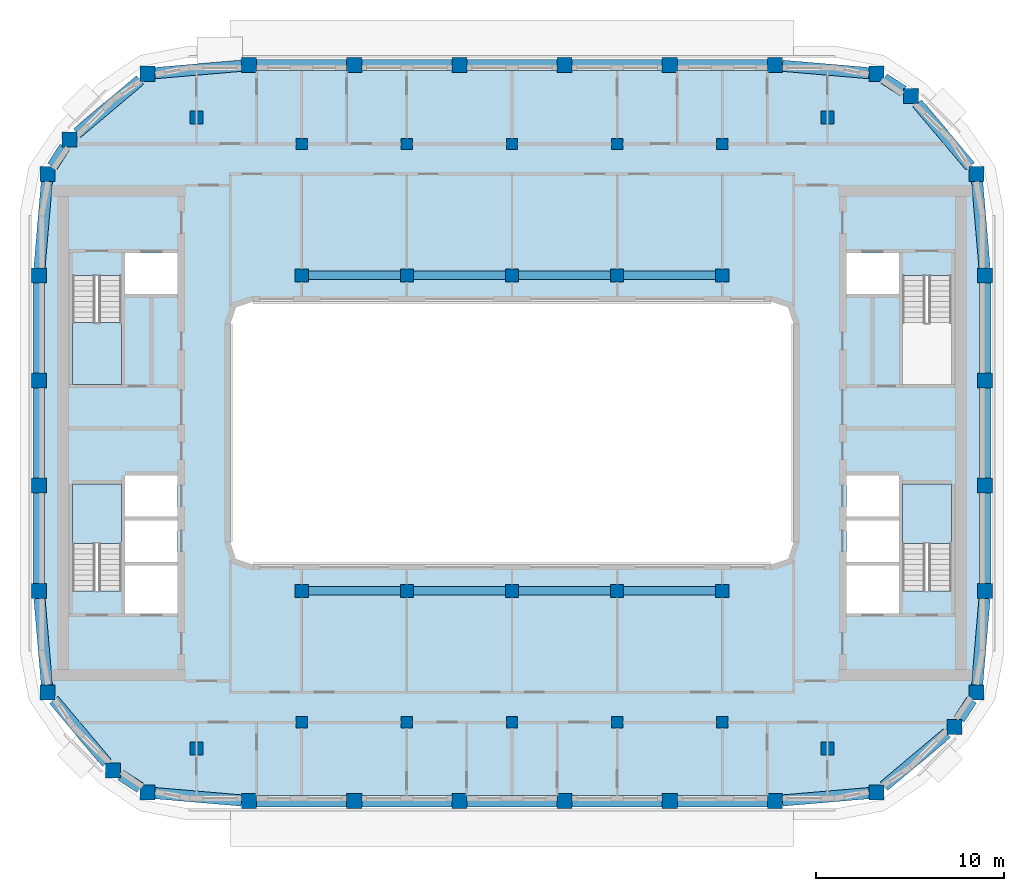
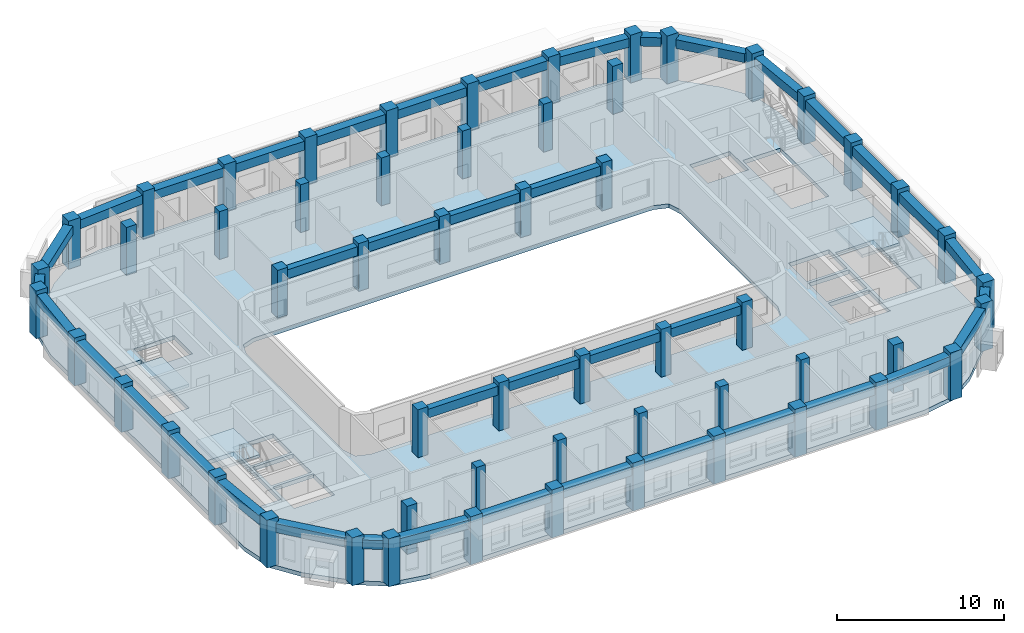
# One storey, part 1 of 15: 56 columns, 40 beams, 4 slabs, 3 elements without a shape of their own.
"""IFC4 building model written with IfcOpenShell, lengths in metres."""

from ifc_helpers import new_model, si_unit, direction, frame, origin, origin_2d, place, context, subcontext, project, spatial, polyline, rectangle, outline, extrude, material, layer, layer_set, material_profile, profile_set, type_object, element, aggregate, save


model = new_model("IFC4")

# Units and contexts
model_context = context("Model", 3, precision=1e-05, world=origin(), true_north=direction((0.0, 1.0)))
body_context = subcontext(model_context, "Body", "Model", "MODEL_VIEW")
ifc_project = project(units=[si_unit("LENGTHUNIT", "METRE"), si_unit("AREAUNIT", "SQUARE_METRE"), si_unit("VOLUMEUNIT", "CUBIC_METRE"), si_unit("PLANEANGLEUNIT", "RADIAN"), si_unit("MASSUNIT", "GRAM", prefix="KILO")], contexts=[model_context])

# Site, building, storey
site_placement = place(None, origin())
site = spatial("IfcSite", under=ifc_project, at=site_placement, CompositionType="ELEMENT")
building_placement = place(site_placement, origin())
building = spatial("IfcBuilding", under=site, at=building_placement, Name="Kiln Ring Residences", CompositionType="ELEMENT")
storey_placement = place(building_placement, frame((0.0, 0.0, 252.199951171875)))
storey = spatial("IfcBuildingStorey", under=building, at=storey_placement, Name="L65", CompositionType="ELEMENT", Elevation=252.199951171875)

# Columns
ifc_material_1 = material(Name="Concrete C60/75", Category="concrete")
ifc_material_profile_1 = material_profile(ifc_material_1, rectangle(XDim=0.60009765625, YDim=0.60009765625, at=origin_2d()), Name="RC600x600")
ifc_profile_set_1 = profile_set([ifc_material_profile_1], Name="Concrete C60/75")
column_type_1 = type_object("IfcColumnType", Name="Corridor column RC600x600 C60/75", PredefinedType="COLUMN", material=ifc_profile_set_1)
for number, where, z_axis, x_axis, name in (
    (1, (-11.199951171875, 15.39990234375, 0.0), (0.0, 0.0, 1.0), (1.0, 0.0, 0.0), "Corridor column L65 1"),
    (2, (-5.60009765625, 15.39990234375, 0.0), (0.0, 0.0, 1.0), (1.0, 0.0, 0.0), "Corridor column L65 2"),
    (3, (0.0, 15.39990234375, 0.0), (0.0, 0.0, 1.0), (1.0, 0.0, 0.0), "Corridor column L65 3"),
    (4, (5.60009765625, 15.39990234375, 0.0), (0.0, 0.0, 1.0), (1.0, 0.0, 0.0), "Corridor column L65 4"),
    (5, (11.199951171875, 15.39990234375, 0.0), (0.0, 0.0, 1.0), (1.0, 0.0, 0.0), "Corridor column L65 5"),
    (6, (-11.199951171875, -15.39990234375, 0.0), (0.0, 0.0, 1.0), (1.0, 0.0, 0.0), "Corridor column L65 6"),
    (7, (-5.60009765625, -15.39990234375, 0.0), (0.0, 0.0, 1.0), (1.0, 0.0, 0.0), "Corridor column L65 7"),
    (8, (0.0, -15.39990234375, 0.0), (0.0, 0.0, 1.0), (1.0, 0.0, 0.0), "Corridor column L65 8"),
    (9, (5.60009765625, -15.39990234375, 0.0), (0.0, 0.0, 1.0), (1.0, 0.0, 0.0), "Corridor column L65 9"),
    (10, (11.199951171875, -15.39990234375, 0.0), (0.0, 0.0, 1.0), (1.0, 0.0, 0.0), "Corridor column L65 10"),
):
    element("IfcColumn", number, at=place(storey_placement, frame(where, z_axis=z_axis, x_axis=x_axis)), inside=storey, type_object=column_type_1, Name=name, PredefinedType="COLUMN", context=body_context, shape_type="SweptSolid", body=[
        extrude(rectangle(XDim=0.60009765625, YDim=0.60009765625, at=origin_2d()), origin(), (0.0, 0.0, 1.0), 3.5),
    ])
ifc_material_2 = material(Name="Concrete C60/75", Category="concrete")
ifc_material_profile_2 = material_profile(ifc_material_2, rectangle(XDim=0.800048828125, YDim=0.800048828125, at=origin_2d()), Name="RC800x800")
ifc_profile_set_2 = profile_set([ifc_material_profile_2], Name="Concrete C60/75")
column_type_2 = type_object("IfcColumnType", Name="Perimeter column RC800x800 C60/75", PredefinedType="COLUMN", material=ifc_profile_set_2)
for number, where, z_axis, x_axis, name in (
    (11, (-19.40869140625, -19.13818359375, 0.0), (0.0, 0.0, 1.0), (1.0, 0.0, 0.0), "Perimeter column L65 1"),
    (12, (-14.0, -19.60009765625, 0.0), (0.0, 0.0, 1.0), (1.0, 0.0, 0.0), "Perimeter column L65 2"),
    (13, (-8.39990234375, -19.60009765625, 0.0), (0.0, 0.0, 1.0), (1.0, 0.0, 0.0), "Perimeter column L65 3"),
    (14, (-2.800048828125, -19.60009765625, 0.0), (0.0, 0.0, 1.0), (1.0, 0.0, 0.0), "Perimeter column L65 4"),
    (15, (2.800048828125, -19.60009765625, 0.0), (0.0, 0.0, 1.0), (1.0, 0.0, 0.0), "Perimeter column L65 5"),
    (16, (8.39990234375, -19.60009765625, 0.0), (0.0, 0.0, 1.0), (1.0, 0.0, 0.0), "Perimeter column L65 6"),
    (17, (14.0, -19.60009765625, 0.0), (0.0, 0.0, 1.0), (1.0, 0.0, 0.0), "Perimeter column L65 7"),
    (18, (19.40869140625, -19.13818359375, 0.0), (0.0, 0.0, 1.0), (1.0, 0.0, 0.0), "Perimeter column L65 8"),
    (19, (23.559814453125, -15.64013671875, 0.0), (0.0, 0.0, 1.0), (1.0, 0.0, 0.0), "Perimeter column L65 9"),
    (20, (24.738037109375, -13.80859375, 0.0), (0.0, 0.0, 1.0), (1.0, 0.0, 0.0), "Perimeter column L65 10"),
    (21, (25.199951171875, -8.39990234375, 0.0), (0.0, 0.0, 1.0), (1.0, 0.0, 0.0), "Perimeter column L65 11"),
    (22, (25.199951171875, -2.800048828125, 0.0), (0.0, 0.0, 1.0), (1.0, 0.0, 0.0), "Perimeter column L65 12"),
    (23, (25.199951171875, 2.800048828125, 0.0), (0.0, 0.0, 1.0), (1.0, 0.0, 0.0), "Perimeter column L65 13"),
    (24, (25.199951171875, 8.39990234375, 0.0), (0.0, 0.0, 1.0), (1.0, 0.0, 0.0), "Perimeter column L65 14"),
    (25, (24.738037109375, 13.80859375, 0.0), (0.0, 0.0, 1.0), (1.0, 0.0, 0.0), "Perimeter column L65 15"),
    (26, (21.240234375, 17.959716796875, 0.0), (0.0, 0.0, 1.0), (1.0, 0.0, 0.0), "Perimeter column L65 16"),
    (27, (19.40869140625, 19.13818359375, 0.0), (0.0, 0.0, 1.0), (1.0, 0.0, 0.0), "Perimeter column L65 17"),
    (28, (14.0, 19.60009765625, 0.0), (0.0, 0.0, 1.0), (1.0, 0.0, 0.0), "Perimeter column L65 18"),
    (29, (8.39990234375, 19.60009765625, 0.0), (0.0, 0.0, 1.0), (1.0, 0.0, 0.0), "Perimeter column L65 19"),
    (30, (2.800048828125, 19.60009765625, 0.0), (0.0, 0.0, 1.0), (1.0, 0.0, 0.0), "Perimeter column L65 20"),
    (31, (-2.800048828125, 19.60009765625, 0.0), (0.0, 0.0, 1.0), (1.0, 0.0, 0.0), "Perimeter column L65 21"),
    (32, (-8.39990234375, 19.60009765625, 0.0), (0.0, 0.0, 1.0), (1.0, 0.0, 0.0), "Perimeter column L65 22"),
    (33, (-14.0, 19.60009765625, 0.0), (0.0, 0.0, 1.0), (1.0, 0.0, 0.0), "Perimeter column L65 23"),
    (34, (-19.40869140625, 19.13818359375, 0.0), (0.0, 0.0, 1.0), (1.0, 0.0, 0.0), "Perimeter column L65 24"),
    (35, (-23.559814453125, 15.64013671875, 0.0), (0.0, 0.0, 1.0), (1.0, 0.0, 0.0), "Perimeter column L65 25"),
    (36, (-24.738037109375, 13.80859375, 0.0), (0.0, 0.0, 1.0), (1.0, 0.0, 0.0), "Perimeter column L65 26"),
    (37, (-25.199951171875, 8.39990234375, 0.0), (0.0, 0.0, 1.0), (1.0, 0.0, 0.0), "Perimeter column L65 27"),
    (38, (-25.199951171875, 2.800048828125, 0.0), (0.0, 0.0, 1.0), (1.0, 0.0, 0.0), "Perimeter column L65 28"),
    (39, (-25.199951171875, -2.800048828125, 0.0), (0.0, 0.0, 1.0), (1.0, 0.0, 0.0), "Perimeter column L65 29"),
    (40, (-25.199951171875, -8.39990234375, 0.0), (0.0, 0.0, 1.0), (1.0, 0.0, 0.0), "Perimeter column L65 30"),
    (41, (-24.738037109375, -13.80859375, 0.0), (0.0, 0.0, 1.0), (1.0, 0.0, 0.0), "Perimeter column L65 31"),
    (42, (-21.240234375, -17.959716796875, 0.0), (0.0, 0.0, 1.0), (1.0, 0.0, 0.0), "Perimeter column L65 32"),
):
    element("IfcColumn", number, at=place(storey_placement, frame(where, z_axis=z_axis, x_axis=x_axis)), inside=storey, type_object=column_type_2, Name=name, PredefinedType="COLUMN", context=body_context, shape_type="SweptSolid", body=[
        extrude(rectangle(XDim=0.800048828125, YDim=0.800048828125, at=origin_2d()), origin(), (0.0, 0.0, 1.0), 3.5),
    ])
ifc_material_3 = material(Name="Concrete C60/75", Category="concrete")
ifc_material_profile_3 = material_profile(ifc_material_3, rectangle(XDim=0.699951171875, YDim=0.699951171875, at=origin_2d()), Name="RC700x700")
ifc_profile_set_3 = profile_set([ifc_material_profile_3], Name="Concrete C60/75")
column_type_3 = type_object("IfcColumnType", Name="Ring column RC700x700 C60/75", PredefinedType="COLUMN", material=ifc_profile_set_3)
for number, where, z_axis, x_axis, name in (
    (43, (-16.800048828125, -16.800048828125, 0.0), (0.0, 0.0, 1.0), (1.0, 0.0, 0.0), "Ring column L65 1"),
    (44, (-16.800048828125, 16.800048828125, 0.0), (0.0, 0.0, 1.0), (1.0, 0.0, 0.0), "Ring column L65 2"),
    (45, (-11.199951171875, -8.39990234375, 0.0), (0.0, 0.0, 1.0), (1.0, 0.0, 0.0), "Ring column L65 3"),
    (46, (-11.199951171875, 8.39990234375, 0.0), (0.0, 0.0, 1.0), (1.0, 0.0, 0.0), "Ring column L65 4"),
    (47, (-5.60009765625, -8.39990234375, 0.0), (0.0, 0.0, 1.0), (1.0, 0.0, 0.0), "Ring column L65 5"),
    (48, (-5.60009765625, 8.39990234375, 0.0), (0.0, 0.0, 1.0), (1.0, 0.0, 0.0), "Ring column L65 6"),
    (49, (0.0, -8.39990234375, 0.0), (0.0, 0.0, 1.0), (1.0, 0.0, 0.0), "Ring column L65 7"),
    (50, (0.0, 8.39990234375, 0.0), (0.0, 0.0, 1.0), (1.0, 0.0, 0.0), "Ring column L65 8"),
    (51, (5.60009765625, -8.39990234375, 0.0), (0.0, 0.0, 1.0), (1.0, 0.0, 0.0), "Ring column L65 9"),
    (52, (5.60009765625, 8.39990234375, 0.0), (0.0, 0.0, 1.0), (1.0, 0.0, 0.0), "Ring column L65 10"),
    (53, (11.199951171875, -8.39990234375, 0.0), (0.0, 0.0, 1.0), (1.0, 0.0, 0.0), "Ring column L65 11"),
    (54, (11.199951171875, 8.39990234375, 0.0), (0.0, 0.0, 1.0), (1.0, 0.0, 0.0), "Ring column L65 12"),
    (55, (16.800048828125, -16.800048828125, 0.0), (0.0, 0.0, 1.0), (1.0, 0.0, 0.0), "Ring column L65 13"),
    (56, (16.800048828125, 16.800048828125, 0.0), (0.0, 0.0, 1.0), (1.0, 0.0, 0.0), "Ring column L65 14"),
):
    element("IfcColumn", number, at=place(storey_placement, frame(where, z_axis=z_axis, x_axis=x_axis)), inside=storey, type_object=column_type_3, Name=name, PredefinedType="COLUMN", context=body_context, shape_type="SweptSolid", body=[
        extrude(rectangle(XDim=0.699951171875, YDim=0.699951171875, at=origin_2d()), origin(), (0.0, 0.0, 1.0), 3.5),
    ])

# Beams
ifc_material_4 = material(Name="Concrete C50/60", Category="concrete")
ifc_material_profile_4 = material_profile(ifc_material_4, rectangle(XDim=0.449951171875, YDim=0.64990234375, at=origin_2d()), Name="RC450x650")
ifc_profile_set_4 = profile_set([ifc_material_profile_4], Name="Concrete C50/60")
beam_type_1 = type_object("IfcBeamType", Name="Ring beam RC450x650 C50/60", PredefinedType="BEAM", material=ifc_profile_set_4)
beam_1_placement = place(storey_placement, frame((-10.85009765625, -8.39990234375, 2.875), z_axis=(1.0, 0.0, 0.0), x_axis=(0.0, 1.0, 0.0)))
element("IfcBeam", 57, at=beam_1_placement, inside=storey, type_object=beam_type_1, Name="Ring beam L65 1", PredefinedType="BEAM", context=body_context, shape_type="SweptSolid", body=[
    extrude(rectangle(XDim=0.449951171875, YDim=0.64990234375, at=origin_2d()), origin(), (0.0, 0.0, 1.0), 4.900146484375),
])
for number, where, z_axis, x_axis, name in (
    (58, (-5.25, -8.39990234375, 2.875), (1.0, 0.0, 0.0), (0.0, 1.0, 0.0), "Ring beam L65 2"),
    (59, (0.35009765625, -8.39990234375, 2.875), (1.0, 0.0, 0.0), (0.0, 1.0, 0.0), "Ring beam L65 3"),
):
    element("IfcBeam", number, at=place(storey_placement, frame(where, z_axis=z_axis, x_axis=x_axis)), inside=storey, type_object=beam_type_1, Name=name, PredefinedType="BEAM", context=body_context, shape_type="SweptSolid", body=[
        extrude(rectangle(XDim=0.449951171875, YDim=0.64990234375, at=origin_2d()), origin(), (0.0, 0.0, 1.0), 4.89990234375),
    ])
for number, where, z_axis, x_axis, name in (
    (60, (5.949951171875, -8.39990234375, 2.875), (1.0, 0.0, 0.0), (0.0, 1.0, 0.0), "Ring beam L65 4"),
    (61, (-10.85009765625, 8.39990234375, 2.875), (1.0, 0.0, 0.0), (0.0, 1.0, 0.0), "Ring beam L65 5"),
):
    element("IfcBeam", number, at=place(storey_placement, frame(where, z_axis=z_axis, x_axis=x_axis)), inside=storey, type_object=beam_type_1, Name=name, PredefinedType="BEAM", context=body_context, shape_type="SweptSolid", body=[
        extrude(rectangle(XDim=0.449951171875, YDim=0.64990234375, at=origin_2d()), origin(), (0.0, 0.0, 1.0), 4.900146484375),
    ])
for number, where, z_axis, x_axis, name in (
    (62, (-5.25, 8.39990234375, 2.875), (1.0, 0.0, 0.0), (0.0, 1.0, 0.0), "Ring beam L65 6"),
    (63, (0.35009765625, 8.39990234375, 2.875), (1.0, 0.0, 0.0), (0.0, 1.0, 0.0), "Ring beam L65 7"),
):
    element("IfcBeam", number, at=place(storey_placement, frame(where, z_axis=z_axis, x_axis=x_axis)), inside=storey, type_object=beam_type_1, Name=name, PredefinedType="BEAM", context=body_context, shape_type="SweptSolid", body=[
        extrude(rectangle(XDim=0.449951171875, YDim=0.64990234375, at=origin_2d()), origin(), (0.0, 0.0, 1.0), 4.89990234375),
    ])
beam_2_placement = place(storey_placement, frame((5.949951171875, 8.39990234375, 2.875), z_axis=(1.0, 0.0, 0.0), x_axis=(0.0, 1.0, 0.0)))
element("IfcBeam", 64, at=beam_2_placement, inside=storey, type_object=beam_type_1, Name="Ring beam L65 8", PredefinedType="BEAM", context=body_context, shape_type="SweptSolid", body=[
    extrude(rectangle(XDim=0.449951171875, YDim=0.64990234375, at=origin_2d()), origin(), (0.0, 0.0, 1.0), 4.900146484375),
])
ifc_material_5 = material(Name="Concrete C50/60", Category="concrete")
ifc_material_profile_5 = material_profile(ifc_material_5, rectangle(XDim=0.60009765625, YDim=0.64990234375, at=origin_2d()), Name="RC600x650")
ifc_profile_set_5 = profile_set([ifc_material_profile_5], Name="Concrete C50/60")
beam_type_2 = type_object("IfcBeamType", Name="Spandrel beam RC600x650 C50/60", PredefinedType="SPANDREL", material=ifc_profile_set_5)
beam_3_placement = place(storey_placement, frame((-19.0087890625, -19.17236328125, 2.875), z_axis=(0.996374056639, -0.085080780766, 0.0), x_axis=(0.085080780766, 0.996374056639, 0.0)))
element("IfcBeam", 65, at=beam_3_placement, inside=storey, type_object=beam_type_2, Name="Spandrel beam L65 1", PredefinedType="SPANDREL", context=body_context, shape_type="SweptSolid", body=[
    extrude(rectangle(XDim=0.60009765625, YDim=0.64990234375, at=origin_2d()), origin(), (0.0, 0.0, 1.0), 4.625732421875),
])
for number, where, z_axis, x_axis, name in (
    (66, (-13.60009765625, -19.60009765625, 2.875), (1.0, 0.0, 0.0), (0.0, 1.0, 0.0), "Spandrel beam L65 2"),
    (67, (-8.0, -19.60009765625, 2.875), (1.0, 0.0, 0.0), (0.0, 1.0, 0.0), "Spandrel beam L65 3"),
):
    element("IfcBeam", number, at=place(storey_placement, frame(where, z_axis=z_axis, x_axis=x_axis)), inside=storey, type_object=beam_type_2, Name=name, PredefinedType="SPANDREL", context=body_context, shape_type="SweptSolid", body=[
        extrude(rectangle(XDim=0.60009765625, YDim=0.64990234375, at=origin_2d()), origin(), (0.0, 0.0, 1.0), 4.800048828125),
    ])
beam_4_placement = place(storey_placement, frame((-2.39990234375, -19.60009765625, 2.875), z_axis=(1.0, 0.0, 0.0), x_axis=(0.0, 1.0, 0.0)))
element("IfcBeam", 68, at=beam_4_placement, inside=storey, type_object=beam_type_2, Name="Spandrel beam L65 4", PredefinedType="SPANDREL", context=body_context, shape_type="SweptSolid", body=[
    extrude(rectangle(XDim=0.60009765625, YDim=0.64990234375, at=origin_2d()), origin(), (0.0, 0.0, 1.0), 4.7998046875),
])
for number, where, z_axis, x_axis, name in (
    (69, (3.199951171875, -19.60009765625, 2.875), (1.0, 0.0, 0.0), (0.0, 1.0, 0.0), "Spandrel beam L65 5"),
    (70, (8.800048828125, -19.60009765625, 2.875), (1.0, 0.0, 0.0), (0.0, 1.0, 0.0), "Spandrel beam L65 6"),
):
    element("IfcBeam", number, at=place(storey_placement, frame(where, z_axis=z_axis, x_axis=x_axis)), inside=storey, type_object=beam_type_2, Name=name, PredefinedType="SPANDREL", context=body_context, shape_type="SweptSolid", body=[
        extrude(rectangle(XDim=0.60009765625, YDim=0.64990234375, at=origin_2d()), origin(), (0.0, 0.0, 1.0), 4.800048828125),
    ])
beam_5_placement = place(storey_placement, frame((14.39990234375, -19.56591796875, 2.875), z_axis=(0.996374056639, 0.085080780766, 0.0), x_axis=(-0.085080780766, 0.996374056639, 0.0)))
element("IfcBeam", 71, at=beam_5_placement, inside=storey, type_object=beam_type_2, Name="Spandrel beam L65 7", PredefinedType="SPANDREL", context=body_context, shape_type="SweptSolid", body=[
    extrude(rectangle(XDim=0.60009765625, YDim=0.64990234375, at=origin_2d()), origin(), (0.0, 0.0, 1.0), 4.625732421875),
])
beam_6_placement = place(storey_placement, frame((19.80859375, -18.801025390625, 2.875), z_axis=(0.764734919154, 0.644345018936, 0.0), x_axis=(-0.644345018936, 0.764734919154, 0.0)))
element("IfcBeam", 72, at=beam_6_placement, inside=storey, type_object=beam_type_2, Name="Spandrel beam L65 8", PredefinedType="SPANDREL", context=body_context, shape_type="SweptSolid", body=[
    extrude(rectangle(XDim=0.60009765625, YDim=0.64990234375, at=origin_2d()), origin(), (0.0, 0.0, 1.0), 4.38232421875),
])
beam_7_placement = place(storey_placement, frame((23.817138671875, -15.240234375, 2.875), z_axis=(0.541029196589, 0.841003810002, 0.0), x_axis=(-0.841003810002, 0.541029196589, 0.0)))
element("IfcBeam", 73, at=beam_7_placement, inside=storey, type_object=beam_type_2, Name="Spandrel beam L65 9", PredefinedType="SPANDREL", context=body_context, shape_type="SweptSolid", body=[
    extrude(rectangle(XDim=0.60009765625, YDim=0.64990234375, at=origin_2d()), origin(), (0.0, 0.0, 1.0), 1.2265625),
])
beam_8_placement = place(storey_placement, frame((24.772216796875, -13.40869140625, 2.875), z_axis=(0.085085255251, 0.996373674551, 0.0), x_axis=(-0.996373674551, 0.085085255251, 0.0)))
element("IfcBeam", 74, at=beam_8_placement, inside=storey, type_object=beam_type_2, Name="Spandrel beam L65 10", PredefinedType="SPANDREL", context=body_context, shape_type="SweptSolid", body=[
    extrude(rectangle(XDim=0.60009765625, YDim=0.64990234375, at=origin_2d()), origin(), (0.0, 0.0, 1.0), 4.62548828125),
])
beam_9_placement = place(storey_placement, frame((25.199951171875, -8.0, 2.875), z_axis=(0.0, 1.0, 0.0), x_axis=(-1.0, 0.0, 0.0)))
element("IfcBeam", 75, at=beam_9_placement, inside=storey, type_object=beam_type_2, Name="Spandrel beam L65 11", PredefinedType="SPANDREL", context=body_context, shape_type="SweptSolid", body=[
    extrude(rectangle(XDim=0.60009765625, YDim=0.64990234375, at=origin_2d()), origin(), (0.0, 0.0, 1.0), 4.800048828125),
])
beam_10_placement = place(storey_placement, frame((25.199951171875, -2.39990234375, 2.875), z_axis=(0.0, 1.0, 0.0), x_axis=(-1.0, 0.0, 0.0)))
element("IfcBeam", 76, at=beam_10_placement, inside=storey, type_object=beam_type_2, Name="Spandrel beam L65 12", PredefinedType="SPANDREL", context=body_context, shape_type="SweptSolid", body=[
    extrude(rectangle(XDim=0.60009765625, YDim=0.64990234375, at=origin_2d()), origin(), (0.0, 0.0, 1.0), 4.7998046875),
])
beam_11_placement = place(storey_placement, frame((25.199951171875, 3.199951171875, 2.875), z_axis=(0.0, 1.0, 0.0), x_axis=(-1.0, 0.0, 0.0)))
element("IfcBeam", 77, at=beam_11_placement, inside=storey, type_object=beam_type_2, Name="Spandrel beam L65 13", PredefinedType="SPANDREL", context=body_context, shape_type="SweptSolid", body=[
    extrude(rectangle(XDim=0.60009765625, YDim=0.64990234375, at=origin_2d()), origin(), (0.0, 0.0, 1.0), 4.800048828125),
])
beam_12_placement = place(storey_placement, frame((25.165771484375, 8.800048828125, 2.875), z_axis=(-0.085085255251, 0.996373674551, 0.0), x_axis=(-0.996373674551, -0.085085255251, 0.0)))
element("IfcBeam", 78, at=beam_12_placement, inside=storey, type_object=beam_type_2, Name="Spandrel beam L65 14", PredefinedType="SPANDREL", context=body_context, shape_type="SweptSolid", body=[
    extrude(rectangle(XDim=0.60009765625, YDim=0.64990234375, at=origin_2d()), origin(), (0.0, 0.0, 1.0), 4.62548828125),
])
beam_13_placement = place(storey_placement, frame((24.401123046875, 14.208740234375, 2.875), z_axis=(-0.644405049218, 0.764684335227, 0.0), x_axis=(-0.764684335227, -0.644405049218, 0.0)))
element("IfcBeam", 79, at=beam_13_placement, inside=storey, type_object=beam_type_2, Name="Spandrel beam L65 15", PredefinedType="SPANDREL", context=body_context, shape_type="SweptSolid", body=[
    extrude(rectangle(XDim=0.60009765625, YDim=0.64990234375, at=origin_2d()), origin(), (0.0, 0.0, 1.0), 4.38232421875),
])
beam_14_placement = place(storey_placement, frame((20.840087890625, 18.217041015625, 2.875), z_axis=(-0.840913236818, 0.541169962345, 0.0), x_axis=(-0.541169962345, -0.840913236818, 0.0)))
element("IfcBeam", 80, at=beam_14_placement, inside=storey, type_object=beam_type_2, Name="Spandrel beam L65 16", PredefinedType="SPANDREL", context=body_context, shape_type="SweptSolid", body=[
    extrude(rectangle(XDim=0.60009765625, YDim=0.64990234375, at=origin_2d()), origin(), (0.0, 0.0, 1.0), 1.2265625),
])
beam_15_placement = place(storey_placement, frame((19.0087890625, 19.17236328125, 2.875), z_axis=(-0.996374056639, 0.085080780766, 0.0), x_axis=(-0.085080780766, -0.996374056639, 0.0)))
element("IfcBeam", 81, at=beam_15_placement, inside=storey, type_object=beam_type_2, Name="Spandrel beam L65 17", PredefinedType="SPANDREL", context=body_context, shape_type="SweptSolid", body=[
    extrude(rectangle(XDim=0.60009765625, YDim=0.64990234375, at=origin_2d()), origin(), (0.0, 0.0, 1.0), 4.625732421875),
])
for number, where, z_axis, x_axis, name in (
    (82, (13.60009765625, 19.60009765625, 2.875), (-1.0, 0.0, 0.0), (0.0, -1.0, 0.0), "Spandrel beam L65 18"),
    (83, (8.0, 19.60009765625, 2.875), (-1.0, 0.0, 0.0), (0.0, -1.0, 0.0), "Spandrel beam L65 19"),
):
    element("IfcBeam", number, at=place(storey_placement, frame(where, z_axis=z_axis, x_axis=x_axis)), inside=storey, type_object=beam_type_2, Name=name, PredefinedType="SPANDREL", context=body_context, shape_type="SweptSolid", body=[
        extrude(rectangle(XDim=0.60009765625, YDim=0.64990234375, at=origin_2d()), origin(), (0.0, 0.0, 1.0), 4.800048828125),
    ])
beam_16_placement = place(storey_placement, frame((2.39990234375, 19.60009765625, 2.875), z_axis=(-1.0, 0.0, 0.0), x_axis=(0.0, -1.0, 0.0)))
element("IfcBeam", 84, at=beam_16_placement, inside=storey, type_object=beam_type_2, Name="Spandrel beam L65 20", PredefinedType="SPANDREL", context=body_context, shape_type="SweptSolid", body=[
    extrude(rectangle(XDim=0.60009765625, YDim=0.64990234375, at=origin_2d()), origin(), (0.0, 0.0, 1.0), 4.7998046875),
])
for number, where, z_axis, x_axis, name in (
    (85, (-3.199951171875, 19.60009765625, 2.875), (-1.0, 0.0, 0.0), (0.0, -1.0, 0.0), "Spandrel beam L65 21"),
    (86, (-8.800048828125, 19.60009765625, 2.875), (-1.0, 0.0, 0.0), (0.0, -1.0, 0.0), "Spandrel beam L65 22"),
):
    element("IfcBeam", number, at=place(storey_placement, frame(where, z_axis=z_axis, x_axis=x_axis)), inside=storey, type_object=beam_type_2, Name=name, PredefinedType="SPANDREL", context=body_context, shape_type="SweptSolid", body=[
        extrude(rectangle(XDim=0.60009765625, YDim=0.64990234375, at=origin_2d()), origin(), (0.0, 0.0, 1.0), 4.800048828125),
    ])
beam_17_placement = place(storey_placement, frame((-14.39990234375, 19.56591796875, 2.875), z_axis=(-0.996374056639, -0.085080780766, 0.0), x_axis=(0.085080780766, -0.996374056639, 0.0)))
element("IfcBeam", 87, at=beam_17_placement, inside=storey, type_object=beam_type_2, Name="Spandrel beam L65 23", PredefinedType="SPANDREL", context=body_context, shape_type="SweptSolid", body=[
    extrude(rectangle(XDim=0.60009765625, YDim=0.64990234375, at=origin_2d()), origin(), (0.0, 0.0, 1.0), 4.625732421875),
])
beam_18_placement = place(storey_placement, frame((-19.80859375, 18.801025390625, 2.875), z_axis=(-0.764734919154, -0.644345018936, 0.0), x_axis=(0.644345018936, -0.764734919154, 0.0)))
element("IfcBeam", 88, at=beam_18_placement, inside=storey, type_object=beam_type_2, Name="Spandrel beam L65 24", PredefinedType="SPANDREL", context=body_context, shape_type="SweptSolid", body=[
    extrude(rectangle(XDim=0.60009765625, YDim=0.64990234375, at=origin_2d()), origin(), (0.0, 0.0, 1.0), 4.38232421875),
])
beam_19_placement = place(storey_placement, frame((-23.817138671875, 15.240234375, 2.875), z_axis=(-0.541029196589, -0.841003810002, 0.0), x_axis=(0.841003810002, -0.541029196589, 0.0)))
element("IfcBeam", 89, at=beam_19_placement, inside=storey, type_object=beam_type_2, Name="Spandrel beam L65 25", PredefinedType="SPANDREL", context=body_context, shape_type="SweptSolid", body=[
    extrude(rectangle(XDim=0.60009765625, YDim=0.64990234375, at=origin_2d()), origin(), (0.0, 0.0, 1.0), 1.2265625),
])
beam_20_placement = place(storey_placement, frame((-24.772216796875, 13.40869140625, 2.875), z_axis=(-0.085085255251, -0.996373674551, 0.0), x_axis=(0.996373674551, -0.085085255251, 0.0)))
element("IfcBeam", 90, at=beam_20_placement, inside=storey, type_object=beam_type_2, Name="Spandrel beam L65 26", PredefinedType="SPANDREL", context=body_context, shape_type="SweptSolid", body=[
    extrude(rectangle(XDim=0.60009765625, YDim=0.64990234375, at=origin_2d()), origin(), (0.0, 0.0, 1.0), 4.62548828125),
])
beam_21_placement = place(storey_placement, frame((-25.199951171875, 8.0, 2.875), z_axis=(0.0, -1.0, 0.0), x_axis=(1.0, 0.0, 0.0)))
element("IfcBeam", 91, at=beam_21_placement, inside=storey, type_object=beam_type_2, Name="Spandrel beam L65 27", PredefinedType="SPANDREL", context=body_context, shape_type="SweptSolid", body=[
    extrude(rectangle(XDim=0.60009765625, YDim=0.64990234375, at=origin_2d()), origin(), (0.0, 0.0, 1.0), 4.800048828125),
])
beam_22_placement = place(storey_placement, frame((-25.199951171875, 2.39990234375, 2.875), z_axis=(0.0, -1.0, 0.0), x_axis=(1.0, 0.0, 0.0)))
element("IfcBeam", 92, at=beam_22_placement, inside=storey, type_object=beam_type_2, Name="Spandrel beam L65 28", PredefinedType="SPANDREL", context=body_context, shape_type="SweptSolid", body=[
    extrude(rectangle(XDim=0.60009765625, YDim=0.64990234375, at=origin_2d()), origin(), (0.0, 0.0, 1.0), 4.7998046875),
])
beam_23_placement = place(storey_placement, frame((-25.199951171875, -3.199951171875, 2.875), z_axis=(0.0, -1.0, 0.0), x_axis=(1.0, 0.0, 0.0)))
element("IfcBeam", 93, at=beam_23_placement, inside=storey, type_object=beam_type_2, Name="Spandrel beam L65 29", PredefinedType="SPANDREL", context=body_context, shape_type="SweptSolid", body=[
    extrude(rectangle(XDim=0.60009765625, YDim=0.64990234375, at=origin_2d()), origin(), (0.0, 0.0, 1.0), 4.800048828125),
])
beam_24_placement = place(storey_placement, frame((-25.165771484375, -8.800048828125, 2.875), z_axis=(0.085085255251, -0.996373674551, 0.0), x_axis=(0.996373674551, 0.085085255251, 0.0)))
element("IfcBeam", 94, at=beam_24_placement, inside=storey, type_object=beam_type_2, Name="Spandrel beam L65 30", PredefinedType="SPANDREL", context=body_context, shape_type="SweptSolid", body=[
    extrude(rectangle(XDim=0.60009765625, YDim=0.64990234375, at=origin_2d()), origin(), (0.0, 0.0, 1.0), 4.62548828125),
])
beam_25_placement = place(storey_placement, frame((-24.401123046875, -14.208740234375, 2.875), z_axis=(0.644405049218, -0.764684335227, 0.0), x_axis=(0.764684335227, 0.644405049218, 0.0)))
element("IfcBeam", 95, at=beam_25_placement, inside=storey, type_object=beam_type_2, Name="Spandrel beam L65 31", PredefinedType="SPANDREL", context=body_context, shape_type="SweptSolid", body=[
    extrude(rectangle(XDim=0.60009765625, YDim=0.64990234375, at=origin_2d()), origin(), (0.0, 0.0, 1.0), 4.38232421875),
])
beam_26_placement = place(storey_placement, frame((-20.840087890625, -18.217041015625, 2.875), z_axis=(0.840913236818, -0.541169962345, 0.0), x_axis=(0.541169962345, 0.840913236818, 0.0)))
element("IfcBeam", 96, at=beam_26_placement, inside=storey, type_object=beam_type_2, Name="Spandrel beam L65 32", PredefinedType="SPANDREL", context=body_context, shape_type="SweptSolid", body=[
    extrude(rectangle(XDim=0.60009765625, YDim=0.64990234375, at=origin_2d()), origin(), (0.0, 0.0, 1.0), 1.2265625),
])

# Stair, slab
ifc_material_6 = material(Name="Concrete C40/50", Category="concrete")
stair_type = type_object("IfcStairType", Name="CORE-STAIR", PredefinedType="HALF_TURN_STAIR", material=ifc_material_6)
placement_1 = place(storey_placement, origin())
stair_1 = element("IfcStair", 97, at=placement_1, inside=storey, type_object=stair_type, Name="L65 stair W-STN", PredefinedType="HALF_TURN_STAIR")
ifc_material_7 = material(Name="Concrete C40/50", Category="concrete")
ifc_layer_1 = layer(ifc_material_7, 0.199951171875)
ifc_layer_set_1 = layer_set([ifc_layer_1], Name="CORE-STAIR-LANDING")
slab_type_1 = type_object("IfcSlabType", Name="CORE-STAIR-LANDING", PredefinedType="LANDING", material=ifc_layer_set_1)
placement_2 = place(storey_placement, frame((0.0, 0.0, 1.550048828125)))
slab_1 = element("IfcSlab", 98, at=placement_2, type_object=slab_type_1, Name="W-STN landing 1", PredefinedType="LANDING", context=body_context, shape_type="SweptSolid", body=[
    extrude(outline(polyline([(-23.39990234375, 5.8798828125), (-23.39990234375, 2.60009765625), (-20.800048828125, 2.60009765625), (-20.800048828125, 5.8798828125), (-23.39990234375, 5.8798828125)])), origin(), (0.0, 0.0, 1.0), 0.199951171875),
])
aggregate(stair_1, [slab_1])

stair_2 = element("IfcStair", 99, at=placement_1, inside=storey, type_object=stair_type, Name="L65 stair W-STS", PredefinedType="HALF_TURN_STAIR")
slab_2 = element("IfcSlab", 100, at=placement_2, type_object=slab_type_1, Name="W-STS landing 1", PredefinedType="LANDING", context=body_context, shape_type="SweptSolid", body=[
    extrude(outline(polyline([(-20.800048828125, -5.8798828125), (-20.800048828125, -2.699951171875), (-23.39990234375, -2.699951171875), (-23.39990234375, -5.8798828125), (-20.800048828125, -5.8798828125)])), origin(), (0.0, 0.0, 1.0), 0.199951171875),
])
aggregate(stair_2, [slab_2])

stair_3 = element("IfcStair", 101, at=placement_1, inside=storey, type_object=stair_type, Name="L65 stair E-STS", PredefinedType="HALF_TURN_STAIR")
slab_3 = element("IfcSlab", 102, at=placement_2, type_object=slab_type_1, Name="E-STS landing 1", PredefinedType="LANDING", context=body_context, shape_type="SweptSolid", body=[
    extrude(outline(polyline([(23.39990234375, -5.8798828125), (23.39990234375, -2.699951171875), (20.800048828125, -2.699951171875), (20.800048828125, -5.8798828125), (23.39990234375, -5.8798828125)])), origin(), (0.0, 0.0, 1.0), 0.199951171875),
])
aggregate(stair_3, [slab_3])

# Slab
ifc_material_8 = material(Name="Concrete C40/50", Category="concrete")
ifc_layer_2 = layer(ifc_material_8, 0.300048828125)
ifc_layer_set_2 = layer_set([ifc_layer_2], Name="Floor slab 300")
slab_type_2 = type_object("IfcSlabType", Name="Floor slab 300", PredefinedType="FLOOR", material=ifc_layer_set_2)
slab_4_placement = place(storey_placement, frame((0.0, 0.0, -0.300048828125)))
element("IfcSlab", 103, at=slab_4_placement, inside=storey, type_object=slab_type_2, Name="Floor slab L65 1", PredefinedType="FLOOR", context=body_context, shape_type="SweptSolid", body=[
    extrude(outline(polyline([(-23.5029296875, -15.697021484375), (-21.297119140625, -17.90283203125), (-19.42431640625, -19.17578125), (-17.199951171875, -19.60009765625), (17.199951171875, -19.60009765625), (19.42431640625, -19.17578125), (21.297119140625, -17.90283203125), (23.5029296875, -15.697021484375), (24.775634765625, -13.82421875), (25.199951171875, -11.60009765625), (25.199951171875, 11.60009765625), (24.775634765625, 13.82421875), (23.5029296875, 15.697021484375), (21.297119140625, 17.90283203125), (19.42431640625, 19.17578125), (17.199951171875, 19.60009765625), (-17.199951171875, 19.60009765625), (-19.42431640625, 19.17578125), (-21.297119140625, 17.90283203125), (-23.5029296875, 15.697021484375), (-24.775634765625, 13.82421875), (-25.199951171875, 11.60009765625), (-25.199951171875, -11.60009765625), (-24.775634765625, -13.82421875), (-23.5029296875, -15.697021484375)]), holes=[polyline([(-14.699951171875, -6.699951171875), (-15.0, -5.800048828125), (-15.0, 5.800048828125), (-14.699951171875, 6.699951171875), (-13.800048828125, 7.0), (13.800048828125, 7.0), (14.699951171875, 6.699951171875), (15.0, 5.800048828125), (15.0, -5.800048828125), (14.699951171875, -6.699951171875), (13.800048828125, -7.0), (-13.800048828125, -7.0), (-14.699951171875, -6.699951171875)]), polyline([(20.800048828125, -8.39794921875), (20.800048828125, -2.699951171875), (23.39990234375, -2.699951171875), (23.39990234375, -8.39794921875), (20.800048828125, -8.39794921875)]), polyline([(20.800048828125, 2.60009765625), (20.800048828125, 8.39794921875), (23.39990234375, 8.39794921875), (23.39990234375, 2.60009765625), (20.800048828125, 2.60009765625)]), polyline([(17.800048828125, -6.85009765625), (17.800048828125, -4.64990234375), (20.60009765625, -4.64990234375), (20.60009765625, -6.85009765625), (17.800048828125, -6.85009765625)]), polyline([(17.800048828125, 7.39990234375), (17.800048828125, 9.60009765625), (20.60009765625, 9.60009765625), (20.60009765625, 7.39990234375), (17.800048828125, 7.39990234375)]), polyline([(20.60009765625, -9.60009765625), (17.800048828125, -9.60009765625), (17.800048828125, -7.050048828125), (20.60009765625, -7.050048828125), (20.60009765625, -9.60009765625)]), polyline([(20.60009765625, -4.449951171875), (17.800048828125, -4.449951171875), (17.800048828125, -2.25), (20.60009765625, -2.25), (20.60009765625, -4.449951171875)]), polyline([(-17.800048828125, -7.050048828125), (-17.800048828125, -9.60009765625), (-20.60009765625, -9.60009765625), (-20.60009765625, -7.050048828125), (-17.800048828125, -7.050048828125)]), polyline([(-17.800048828125, -6.85009765625), (-20.60009765625, -6.85009765625), (-20.60009765625, -4.64990234375), (-17.800048828125, -4.64990234375), (-17.800048828125, -6.85009765625)]), polyline([(-17.800048828125, -2.25), (-17.800048828125, -4.449951171875), (-20.60009765625, -4.449951171875), (-20.60009765625, -2.25), (-17.800048828125, -2.25)]), polyline([(-17.800048828125, 7.39990234375), (-20.60009765625, 7.39990234375), (-20.60009765625, 9.60009765625), (-17.800048828125, 9.60009765625), (-17.800048828125, 7.39990234375)]), polyline([(-20.800048828125, -8.39794921875), (-23.39990234375, -8.39794921875), (-23.39990234375, -2.699951171875), (-20.800048828125, -2.699951171875), (-20.800048828125, -8.39794921875)]), polyline([(-20.800048828125, 2.60009765625), (-23.39990234375, 2.60009765625), (-23.39990234375, 8.39794921875), (-20.800048828125, 8.39794921875), (-20.800048828125, 2.60009765625)])]), origin(), (0.0, 0.0, 1.0), 0.300048828125),
])

save(model, "model.ifc")
